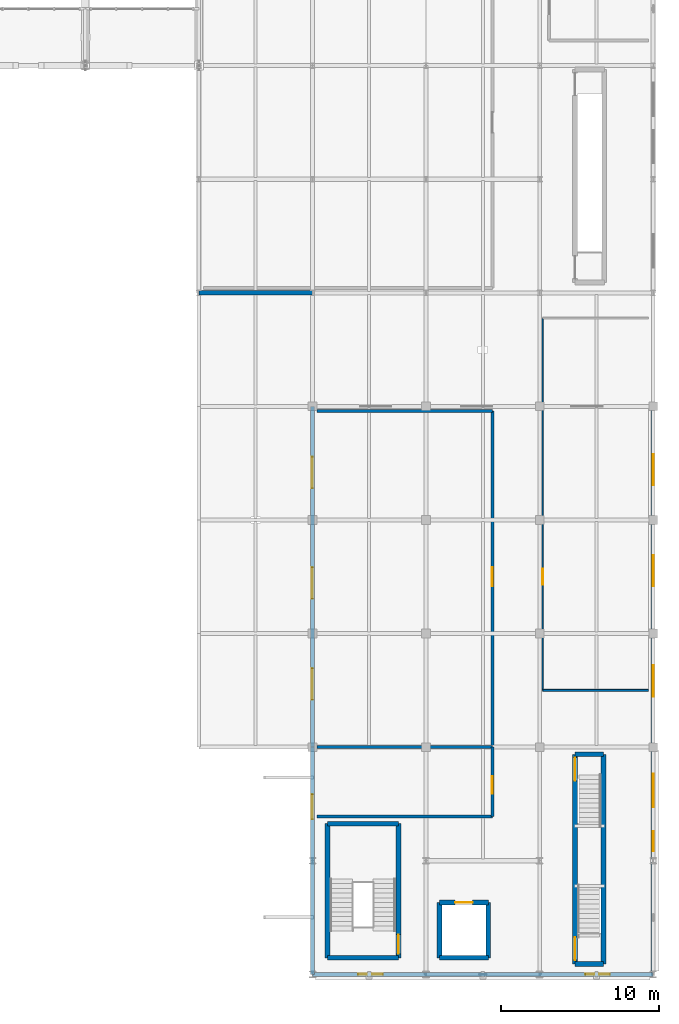
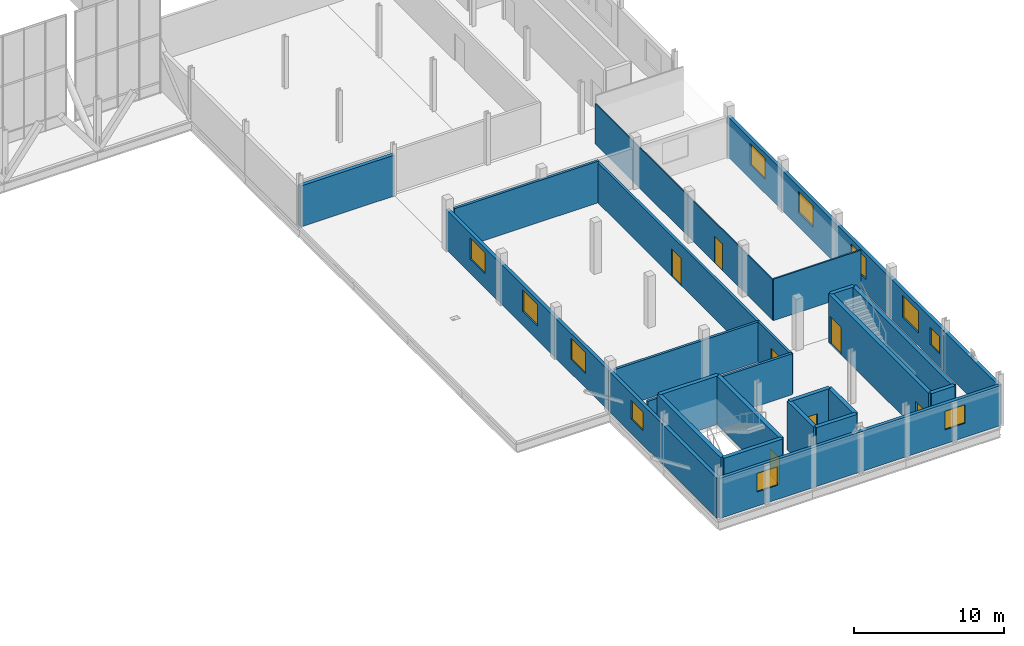
# One storey, part 94 of 102: 25 walls, 11 windows, 7 doors, 18 openings.
"""IFC4 building model written with IfcOpenShell, lengths in metres."""

from ifc_helpers import new_model, si_unit, direction, frame, frame_2d, origin, place, context, subcontext, project, spatial, rectangle, extrude, material, layer, layer_set, type_object, element, fill, save


model = new_model("IFC4")

# Units and contexts
model_context = context("Model", 3, precision=1e-05, world=origin(), true_north=direction((0.0, 1.0)))
body_context = subcontext(model_context, "Body", "Model", "MODEL_VIEW")
ifc_project = project(units=[si_unit("LENGTHUNIT", "METRE"), si_unit("AREAUNIT", "SQUARE_METRE"), si_unit("VOLUMEUNIT", "CUBIC_METRE"), si_unit("PLANEANGLEUNIT", "RADIAN"), si_unit("MASSUNIT", "GRAM", prefix="KILO")], contexts=[model_context])

# Site, building, storey
site_placement = place(None, origin())
site = spatial("IfcSite", under=ifc_project, at=site_placement, CompositionType="ELEMENT")
building_placement = place(site_placement, origin())
building = spatial("IfcBuilding", under=site, at=building_placement, Name="Yarey Park Central Fire Station", CompositionType="ELEMENT")
storey_placement = place(building_placement, frame((0.0, 0.0, 6.0)))
storey = spatial("IfcBuildingStorey", under=building, at=storey_placement, Name="L02", CompositionType="ELEMENT", Elevation=6.0)

# Wall
ifc_material_1 = material(Name="Concrete C35/45", Category="concrete")
ifc_layer_1 = layer(ifc_material_1, 0.280029296875)
ifc_layer_set_1 = layer_set([ifc_layer_1], Name="Concrete C35/45")
wall_type_1 = type_object("IfcWallType", Name="ENV_WALL_CMU280", PredefinedType="STANDARD", material=ifc_layer_set_1)
wall_1_placement = place(storey_placement, frame((136.800048828125, 43.199951171875, 0.0), z_axis=(0.0, 0.0, 1.0), x_axis=(1.0, 0.0, 0.0)))
element("IfcWall", 1, at=wall_1_placement, inside=storey, type_object=wall_type_1, Name="EW_L02_V5_S", PredefinedType="STANDARD", context=body_context, shape_type="SweptSolid", body=[
    extrude(rectangle(XDim=7.199951171875, YDim=0.280029296875, at=frame_2d((3.60009765625, 0.0))), origin(), (0.0, 0.0, 1.0), 3.326904296875),
])

# Wall, openings, windows
ifc_material_2 = material(Name="Concrete C40/50", Category="concrete")
ifc_layer_2 = layer(ifc_material_2, 0.2548828125)
ifc_layer_set_2 = layer_set([ifc_layer_2], Name="Concrete C40/50")
wall_type_2 = type_object("IfcWallType", Name="ENV_WALL_RC255", PredefinedType="STANDARD", material=ifc_layer_set_2)
wall_2_placement = place(storey_placement, frame((144.0, 36.0, 0.0), z_axis=(0.0, 0.0, 1.0), x_axis=(0.0, -1.0, 0.0)))
wall_2 = element("IfcWall", 2, at=wall_2_placement, inside=storey, type_object=wall_type_2, Name="EW_L02_V6_SMKW", PredefinedType="STANDARD", context=body_context, shape_type="SweptSolid", body=[
    extrude(rectangle(XDim=21.60009765625, YDim=0.2548828125, at=frame_2d((10.800048828125, 0.0))), origin(), (0.0, 0.0, 1.0), 3.2470703125),
])
opening_1_placement = place(wall_2_placement, frame((3.199951171875, 0.0, 1.14990234375)))
opening_1 = element("IfcOpeningElement", 3, at=opening_1_placement, cuts=wall_2, Name="Opening WN-P198", PredefinedType="OPENING", context=body_context, shape_type="SweptSolid", body=[
    extrude(rectangle(XDim=1.97998046875, YDim=1.719970703125, at=frame_2d((0.989990234375, 0.85986328125))), frame((0.0, 0.137451171875, 0.0), z_axis=(0.0, -1.0, 0.0), x_axis=(1.0, 0.0, 0.0)), (0.0, 0.0, 1.0), 0.27490234375),
])
opening_2_placement = place(wall_2_placement, frame((10.199951171875, 0.0, 1.14990234375)))
opening_2 = element("IfcOpeningElement", 4, at=opening_2_placement, cuts=wall_2, Name="Opening WN-P198", PredefinedType="OPENING", context=body_context, shape_type="SweptSolid", body=[
    extrude(rectangle(XDim=1.97998046875, YDim=1.719970703125, at=frame_2d((0.989990234375, 0.85986328125))), frame((0.0, 0.137451171875, 0.0), z_axis=(0.0, -1.0, 0.0), x_axis=(1.0, 0.0, 0.0)), (0.0, 0.0, 1.0), 0.27490234375),
])
opening_3_placement = place(wall_2_placement, frame((16.60009765625, 0.0, 1.14990234375)))
opening_3 = element("IfcOpeningElement", 5, at=opening_3_placement, cuts=wall_2, Name="Opening WN-P198", PredefinedType="OPENING", context=body_context, shape_type="SweptSolid", body=[
    extrude(rectangle(XDim=1.97998046875, YDim=1.719970703125, at=frame_2d((0.989990234375, 0.85986328125))), frame((0.0, 0.137451171875, 0.0), z_axis=(0.0, -1.0, 0.0), x_axis=(1.0, 0.0, 0.0)), (0.0, 0.0, 1.0), 0.27490234375),
])
ifc_material_3 = material(Name="Laminated Hurricane Low-E Glass", Category="glass")
window_type_1 = type_object("IfcWindowType", Name="ENV_WIN_PUNCH_198", PartitioningType="SINGLE_PANEL", PredefinedType="WINDOW", material=ifc_material_3)
window_1_placement = place(opening_1_placement, origin())
window_1 = element("IfcWindow", 6, at=window_1_placement, inside=storey, type_object=window_type_1, Name="WIN_L02_SMKW_1", OverallHeight=1.719970703125, OverallWidth=1.97998046875, PartitioningType="SINGLE_PANEL", PredefinedType="WINDOW", context=body_context, shape_type="SweptSolid", body=[
    extrude(rectangle(XDim=1.97998046875, YDim=1.719970703125, at=frame_2d((0.989990234375, 0.85986328125))), frame((0.0, 0.030029296875, 0.0), z_axis=(0.0, -1.0, 0.0), x_axis=(1.0, 0.0, 0.0)), (0.0, 0.0, 1.0), 0.06005859375),
])
fill(opening_1, window_1)
window_2_placement = place(opening_2_placement, origin())
window_2 = element("IfcWindow", 7, at=window_2_placement, inside=storey, type_object=window_type_1, Name="WIN_L02_SMKW_2", OverallHeight=1.719970703125, OverallWidth=1.97998046875, PartitioningType="SINGLE_PANEL", PredefinedType="WINDOW", context=body_context, shape_type="SweptSolid", body=[
    extrude(rectangle(XDim=1.97998046875, YDim=1.719970703125, at=frame_2d((0.989990234375, 0.85986328125))), frame((0.0, 0.030029296875, 0.0), z_axis=(0.0, -1.0, 0.0), x_axis=(1.0, 0.0, 0.0)), (0.0, 0.0, 1.0), 0.06005859375),
])
fill(opening_2, window_2)
window_3_placement = place(opening_3_placement, origin())
window_3 = element("IfcWindow", 8, at=window_3_placement, inside=storey, type_object=window_type_1, Name="WIN_L02_SMKW_3", OverallHeight=1.719970703125, OverallWidth=1.97998046875, PartitioningType="SINGLE_PANEL", PredefinedType="WINDOW", context=body_context, shape_type="SweptSolid", body=[
    extrude(rectangle(XDim=1.97998046875, YDim=1.719970703125, at=frame_2d((0.989990234375, 0.85986328125))), frame((0.0, 0.030029296875, 0.0), z_axis=(0.0, -1.0, 0.0), x_axis=(1.0, 0.0, 0.0)), (0.0, 0.0, 1.0), 0.06005859375),
])
fill(opening_3, window_3)

wall_3_placement = place(storey_placement, frame((165.60009765625, 14.39990234375, 0.0), z_axis=(0.0, 0.0, 1.0), x_axis=(0.0, 1.0, 0.0)))
wall_3 = element("IfcWall", 9, at=wall_3_placement, inside=storey, type_object=wall_type_2, Name="EW_L02_V6_SMKE", PredefinedType="STANDARD", context=body_context, shape_type="SweptSolid", body=[
    extrude(rectangle(XDim=21.60009765625, YDim=0.2548828125, at=frame_2d((10.800048828125, 0.0))), origin(), (0.0, 0.0, 1.0), 3.2470703125),
])
opening_4_placement = place(wall_3_placement, frame((3.199951171875, 0.0, 1.14990234375)))
opening_4 = element("IfcOpeningElement", 10, at=opening_4_placement, cuts=wall_3, Name="Opening WN-P198", PredefinedType="OPENING", context=body_context, shape_type="SweptSolid", body=[
    extrude(rectangle(XDim=1.97998046875, YDim=1.719970703125, at=frame_2d((0.989990234375, 0.85986328125))), frame((0.0, 0.137451171875, 0.0), z_axis=(0.0, -1.0, 0.0), x_axis=(1.0, 0.0, 0.0)), (0.0, 0.0, 1.0), 0.27490234375),
])
opening_5_placement = place(wall_3_placement, frame((10.199951171875, 0.0, 1.14990234375)))
opening_5 = element("IfcOpeningElement", 11, at=opening_5_placement, cuts=wall_3, Name="Opening WN-P198", PredefinedType="OPENING", context=body_context, shape_type="SweptSolid", body=[
    extrude(rectangle(XDim=1.97998046875, YDim=1.719970703125, at=frame_2d((0.989990234375, 0.85986328125))), frame((0.0, 0.137451171875, 0.0), z_axis=(0.0, -1.0, 0.0), x_axis=(1.0, 0.0, 0.0)), (0.0, 0.0, 1.0), 0.27490234375),
])
opening_6_placement = place(wall_3_placement, frame((16.60009765625, 0.0, 1.14990234375)))
opening_6 = element("IfcOpeningElement", 12, at=opening_6_placement, cuts=wall_3, Name="Opening WN-P198", PredefinedType="OPENING", context=body_context, shape_type="SweptSolid", body=[
    extrude(rectangle(XDim=1.97998046875, YDim=1.719970703125, at=frame_2d((0.989990234375, 0.85986328125))), frame((0.0, 0.137451171875, 0.0), z_axis=(0.0, -1.0, 0.0), x_axis=(1.0, 0.0, 0.0)), (0.0, 0.0, 1.0), 0.27490234375),
])
window_4_placement = place(opening_4_placement, origin())
window_4 = element("IfcWindow", 13, at=window_4_placement, inside=storey, type_object=window_type_1, Name="WIN_L02_SMKE_1", OverallHeight=1.719970703125, OverallWidth=1.97998046875, PartitioningType="SINGLE_PANEL", PredefinedType="WINDOW", context=body_context, shape_type="SweptSolid", body=[
    extrude(rectangle(XDim=1.97998046875, YDim=1.719970703125, at=frame_2d((0.989990234375, 0.85986328125))), frame((0.0, 0.030029296875, 0.0), z_axis=(0.0, -1.0, 0.0), x_axis=(1.0, 0.0, 0.0)), (0.0, 0.0, 1.0), 0.06005859375),
])
fill(opening_4, window_4)
window_5_placement = place(opening_5_placement, origin())
window_5 = element("IfcWindow", 14, at=window_5_placement, inside=storey, type_object=window_type_1, Name="WIN_L02_SMKE_2", OverallHeight=1.719970703125, OverallWidth=1.97998046875, PartitioningType="SINGLE_PANEL", PredefinedType="WINDOW", context=body_context, shape_type="SweptSolid", body=[
    extrude(rectangle(XDim=1.97998046875, YDim=1.719970703125, at=frame_2d((0.989990234375, 0.85986328125))), frame((0.0, 0.030029296875, 0.0), z_axis=(0.0, -1.0, 0.0), x_axis=(1.0, 0.0, 0.0)), (0.0, 0.0, 1.0), 0.06005859375),
])
fill(opening_5, window_5)
window_6_placement = place(opening_6_placement, origin())
window_6 = element("IfcWindow", 15, at=window_6_placement, inside=storey, type_object=window_type_1, Name="WIN_L02_SMKE_3", OverallHeight=1.719970703125, OverallWidth=1.97998046875, PartitioningType="SINGLE_PANEL", PredefinedType="WINDOW", context=body_context, shape_type="SweptSolid", body=[
    extrude(rectangle(XDim=1.97998046875, YDim=1.719970703125, at=frame_2d((0.989990234375, 0.85986328125))), frame((0.0, 0.030029296875, 0.0), z_axis=(0.0, -1.0, 0.0), x_axis=(1.0, 0.0, 0.0)), (0.0, 0.0, 1.0), 0.06005859375),
])
fill(opening_6, window_6)

wall_4_placement = place(storey_placement, frame((165.60009765625, 0.0, 0.0), z_axis=(0.0, 0.0, 1.0), x_axis=(-1.0, 0.0, 0.0)))
wall_4 = element("IfcWall", 16, at=wall_4_placement, inside=storey, type_object=wall_type_2, Name="EW_L02_DT_S", PredefinedType="STANDARD", context=body_context, shape_type="SweptSolid", body=[
    extrude(rectangle(XDim=21.60009765625, YDim=0.2548828125, at=frame_2d((10.800048828125, 0.0))), origin(), (0.0, 0.0, 1.0), 3.2470703125),
])
opening_7_placement = place(wall_4_placement, frame((17.139892578125, 0.0, 1.14990234375)))
opening_7 = element("IfcOpeningElement", 17, at=opening_7_placement, cuts=wall_4, Name="Opening WN-DT156", PredefinedType="OPENING", context=body_context, shape_type="SweptSolid", body=[
    extrude(rectangle(XDim=1.56005859375, YDim=1.5, at=frame_2d((0.780029296875, 0.75))), frame((0.0, 0.137451171875, 0.0), z_axis=(0.0, -1.0, 0.0), x_axis=(1.0, 0.0, 0.0)), (0.0, 0.0, 1.0), 0.27490234375),
])
opening_8_placement = place(wall_4_placement, frame((2.739990234375, 0.0, 1.14990234375)))
opening_8 = element("IfcOpeningElement", 18, at=opening_8_placement, cuts=wall_4, Name="Opening WN-DT156", PredefinedType="OPENING", context=body_context, shape_type="SweptSolid", body=[
    extrude(rectangle(XDim=1.56005859375, YDim=1.5, at=frame_2d((0.780029296875, 0.75))), frame((0.0, 0.137451171875, 0.0), z_axis=(0.0, -1.0, 0.0), x_axis=(1.0, 0.0, 0.0)), (0.0, 0.0, 1.0), 0.27490234375),
])
window_type_2 = type_object("IfcWindowType", Name="ENV_WIN_DT_156", PartitioningType="SINGLE_PANEL", PredefinedType="WINDOW", material=ifc_material_3)
window_7_placement = place(opening_7_placement, origin())
window_7 = element("IfcWindow", 19, at=window_7_placement, inside=storey, type_object=window_type_2, Name="WIN_L02_DTS_1", OverallHeight=1.5, OverallWidth=1.56005859375, PartitioningType="SINGLE_PANEL", PredefinedType="WINDOW", context=body_context, shape_type="SweptSolid", body=[
    extrude(rectangle(XDim=1.56005859375, YDim=1.5, at=frame_2d((0.780029296875, 0.75))), frame((0.0, 0.030029296875, 0.0), z_axis=(0.0, -1.0, 0.0), x_axis=(1.0, 0.0, 0.0)), (0.0, 0.0, 1.0), 0.06005859375),
])
fill(opening_7, window_7)
window_8_placement = place(opening_8_placement, origin())
window_8 = element("IfcWindow", 20, at=window_8_placement, inside=storey, type_object=window_type_2, Name="WIN_L02_DTS_2", OverallHeight=1.5, OverallWidth=1.56005859375, PartitioningType="SINGLE_PANEL", PredefinedType="WINDOW", context=body_context, shape_type="SweptSolid", body=[
    extrude(rectangle(XDim=1.56005859375, YDim=1.5, at=frame_2d((0.780029296875, 0.75))), frame((0.0, 0.030029296875, 0.0), z_axis=(0.0, -1.0, 0.0), x_axis=(1.0, 0.0, 0.0)), (0.0, 0.0, 1.0), 0.06005859375),
])
fill(opening_8, window_8)

wall_5_placement = place(storey_placement, frame((165.60009765625, 0.0, 0.0), z_axis=(0.0, 0.0, 1.0), x_axis=(0.0, 1.0, 0.0)))
wall_5 = element("IfcWall", 21, at=wall_5_placement, inside=storey, type_object=wall_type_2, Name="EW_L02_DT_E", PredefinedType="STANDARD", context=body_context, shape_type="SweptSolid", body=[
    extrude(rectangle(XDim=14.39990234375, YDim=0.2548828125, at=frame_2d((7.199951171875, 0.0))), origin(), (0.0, 0.0, 1.0), 3.2470703125),
])
opening_9_placement = place(wall_5_placement, frame((7.800048828125, 0.0, 1.050048828125)))
opening_9 = element("IfcOpeningElement", 22, at=opening_9_placement, cuts=wall_5, Name="Opening WN-DT126", PredefinedType="OPENING", context=body_context, shape_type="SweptSolid", body=[
    extrude(rectangle(XDim=1.260009765625, YDim=1.3798828125, at=frame_2d((0.6298828125, 0.68994140625))), frame((0.0, 0.137451171875, 0.0), z_axis=(0.0, -1.0, 0.0), x_axis=(1.0, 0.0, 0.0)), (0.0, 0.0, 1.0), 0.27490234375),
])
opening_10_placement = place(wall_5_placement, frame((10.60009765625, 0.0, 1.050048828125)))
opening_10 = element("IfcOpeningElement", 23, at=opening_10_placement, cuts=wall_5, Name="Opening WN-P212", PredefinedType="OPENING", context=body_context, shape_type="SweptSolid", body=[
    extrude(rectangle(XDim=2.1201171875, YDim=1.760009765625, at=frame_2d((1.06005859375, 0.8798828125))), frame((0.0, 0.137451171875, 0.0), z_axis=(0.0, -1.0, 0.0), x_axis=(1.0, 0.0, 0.0)), (0.0, 0.0, 1.0), 0.27490234375),
])
window_type_3 = type_object("IfcWindowType", Name="ENV_WIN_DT_126", PartitioningType="SINGLE_PANEL", PredefinedType="WINDOW", material=ifc_material_3)
window_9_placement = place(opening_9_placement, origin())
window_9 = element("IfcWindow", 24, at=window_9_placement, inside=storey, type_object=window_type_3, Name="WIN_L02_DTE_1", OverallHeight=1.3798828125, OverallWidth=1.260009765625, PartitioningType="SINGLE_PANEL", PredefinedType="WINDOW", context=body_context, shape_type="SweptSolid", body=[
    extrude(rectangle(XDim=1.260009765625, YDim=1.3798828125, at=frame_2d((0.6298828125, 0.68994140625))), frame((0.0, 0.030029296875, 0.0), z_axis=(0.0, -1.0, 0.0), x_axis=(1.0, 0.0, 0.0)), (0.0, 0.0, 1.0), 0.06005859375),
])
fill(opening_9, window_9)
window_type_4 = type_object("IfcWindowType", Name="ENV_WIN_PUNCH_212", PartitioningType="SINGLE_PANEL", PredefinedType="WINDOW", material=ifc_material_3)
window_10_placement = place(opening_10_placement, origin())
window_10 = element("IfcWindow", 25, at=window_10_placement, inside=storey, type_object=window_type_4, Name="WIN_L02_DTE_2", OverallHeight=1.760009765625, OverallWidth=2.1201171875, PartitioningType="SINGLE_PANEL", PredefinedType="WINDOW", context=body_context, shape_type="SweptSolid", body=[
    extrude(rectangle(XDim=2.1201171875, YDim=1.760009765625, at=frame_2d((1.06005859375, 0.8798828125))), frame((0.0, 0.030029296875, 0.0), z_axis=(0.0, -1.0, 0.0), x_axis=(1.0, 0.0, 0.0)), (0.0, 0.0, 1.0), 0.06005859375),
])
fill(opening_10, window_10)

# Wall, opening, window
wall_6_placement = place(storey_placement, frame((144.0, 14.39990234375, 0.0), z_axis=(0.0, 0.0, 1.0), x_axis=(0.0, -1.0, 0.0)))
wall_6 = element("IfcWall", 26, at=wall_6_placement, inside=storey, type_object=wall_type_2, Name="EW_L02_DT_W", PredefinedType="STANDARD", context=body_context, shape_type="SweptSolid", body=[
    extrude(rectangle(XDim=14.39990234375, YDim=0.2548828125, at=frame_2d((7.199951171875, 0.0))), origin(), (0.0, 0.0, 1.0), 3.2470703125),
])
opening_11_placement = place(wall_6_placement, frame((3.0, 0.0, 1.14990234375)))
opening_11 = element("IfcOpeningElement", 27, at=opening_11_placement, cuts=wall_6, Name="Opening WN-DT156", PredefinedType="OPENING", context=body_context, shape_type="SweptSolid", body=[
    extrude(rectangle(XDim=1.56005859375, YDim=1.5, at=frame_2d((0.780029296875, 0.75))), frame((0.0, 0.137451171875, 0.0), z_axis=(0.0, -1.0, 0.0), x_axis=(1.0, 0.0, 0.0)), (0.0, 0.0, 1.0), 0.27490234375),
])
window_11_placement = place(opening_11_placement, origin())
window_11 = element("IfcWindow", 28, at=window_11_placement, inside=storey, type_object=window_type_2, Name="WIN_L02_DTW_1", OverallHeight=1.5, OverallWidth=1.56005859375, PartitioningType="SINGLE_PANEL", PredefinedType="WINDOW", context=body_context, shape_type="SweptSolid", body=[
    extrude(rectangle(XDim=1.56005859375, YDim=1.5, at=frame_2d((0.780029296875, 0.75))), frame((0.0, 0.030029296875, 0.0), z_axis=(0.0, -1.0, 0.0), x_axis=(1.0, 0.0, 0.0)), (0.0, 0.0, 1.0), 0.06005859375),
])
fill(opening_11, window_11)

# Walls
ifc_layer_3 = layer(ifc_material_2, 0.27001953125)
ifc_layer_set_3 = layer_set([ifc_layer_3], Name="Concrete C40/50")
wall_type_3 = type_object("IfcWallType", Name="INT_CORE_RC270", PredefinedType="SHEAR", material=ifc_layer_set_3)
for number, where, z_axis, x_axis, name in (
    (29, (144.949951171875, 1.050048828125, 0.0), (0.0, 0.0, 1.0), (1.0, 0.0, 0.0), "CWALL_C5_L02_S"),
    (30, (149.449951171875, 9.550048828125, 0.0), (0.0, 0.0, 1.0), (-1.0, 0.0, 0.0), "CWALL_C5_L02_N"),
):
    element("IfcWall", number, at=place(storey_placement, frame(where, z_axis=z_axis, x_axis=x_axis)), inside=storey, type_object=wall_type_3, Name=name, PredefinedType="SHEAR", context=body_context, shape_type="SweptSolid", body=[
        extrude(rectangle(XDim=4.5, YDim=0.300048828125, at=frame_2d((2.25, 0.0))), origin(), (0.0, 0.0, 1.0), 3.93994140625),
    ])
wall_7_placement = place(storey_placement, frame((144.949951171875, 9.550048828125, 0.0), z_axis=(0.0, 0.0, 1.0), x_axis=(0.0, -1.0, 0.0)))
element("IfcWall", 31, at=wall_7_placement, inside=storey, type_object=wall_type_3, Name="CWALL_C5_L02_W", PredefinedType="SHEAR", context=body_context, shape_type="SweptSolid", body=[
    extrude(rectangle(XDim=8.5, YDim=0.300048828125, at=frame_2d((4.25, 0.0))), origin(), (0.0, 0.0, 1.0), 3.93994140625),
])

# Wall, opening, door
wall_8_placement = place(storey_placement, frame((149.449951171875, 1.050048828125, 0.0), z_axis=(0.0, 0.0, 1.0), x_axis=(0.0, 1.0, 0.0)))
wall_8 = element("IfcWall", 32, at=wall_8_placement, inside=storey, type_object=wall_type_3, Name="CWALL_C5_L02_E", PredefinedType="SHEAR", context=body_context, shape_type="SweptSolid", body=[
    extrude(rectangle(XDim=8.5, YDim=0.300048828125, at=frame_2d((4.25, 0.0))), origin(), (0.0, 0.0, 1.0), 3.93994140625),
])
opening_12_placement = place(wall_8_placement, frame((0.25, 0.0, 0.0)))
opening_12 = element("IfcOpeningElement", 33, at=opening_12_placement, cuts=wall_8, Name="Opening SD-122", PredefinedType="OPENING", context=body_context, shape_type="SweptSolid", body=[
    extrude(rectangle(XDim=1.219970703125, YDim=2.159912109375, at=frame_2d((0.60986328125, 1.080078125))), frame((0.0, 0.159912109375, 0.0), z_axis=(0.0, -1.0, 0.0), x_axis=(1.0, 0.0, 0.0)), (0.0, 0.0, 1.0), 0.320068359375),
])
ifc_material_4 = material(Name="Galvanized Hollow Metal Door", Category="metal")
door_type_1 = type_object("IfcDoorType", Name="DR_STAIR_1220", OperationType="NOTDEFINED", PredefinedType="DOOR", material=ifc_material_4)
door_1_placement = place(opening_12_placement, origin())
door_1 = element("IfcDoor", 34, at=door_1_placement, inside=storey, type_object=door_type_1, Name="DOOR_STAIR_C5_L02", OperationType="SINGLE_SWING_RIGHT", OverallHeight=2.159912109375, OverallWidth=1.219970703125, PredefinedType="DOOR", context=body_context, shape_type="SweptSolid", body=[
    extrude(rectangle(XDim=1.219970703125, YDim=2.159912109375, at=frame_2d((0.60986328125, 1.080078125))), frame((0.0, 0.02490234375, 0.0), z_axis=(0.0, -1.0, 0.0), x_axis=(1.0, 0.0, 0.0)), (0.0, 0.0, 1.0), 0.050048828125),
])
fill(opening_12, door_1)

# Wall
wall_9_placement = place(storey_placement, frame((152.050048828125, 1.050048828125, 0.0), z_axis=(0.0, 0.0, 1.0), x_axis=(1.0, 0.0, 0.0)))
element("IfcWall", 35, at=wall_9_placement, inside=storey, type_object=wall_type_3, Name="LWALL_C5_L02_S", PredefinedType="SHEAR", context=body_context, shape_type="SweptSolid", body=[
    extrude(rectangle(XDim=3.099853515625, YDim=0.300048828125, at=frame_2d((1.5498046875, 0.0))), origin(), (0.0, 0.0, 1.0), 3.93994140625),
])

# Wall, opening, door
wall_10_placement = place(storey_placement, frame((155.14990234375, 4.550048828125, 0.0), z_axis=(0.0, 0.0, 1.0), x_axis=(-1.0, 0.0, 0.0)))
wall_10 = element("IfcWall", 36, at=wall_10_placement, inside=storey, type_object=wall_type_3, Name="LWALL_C5_L02_N", PredefinedType="SHEAR", context=body_context, shape_type="SweptSolid", body=[
    extrude(rectangle(XDim=3.099853515625, YDim=0.300048828125, at=frame_2d((1.5498046875, 0.0))), origin(), (0.0, 0.0, 1.0), 3.93994140625),
])
opening_13_placement = place(wall_10_placement, frame((1.0, 0.0, 0.0)))
opening_13 = element("IfcOpeningElement", 37, at=opening_13_placement, cuts=wall_10, Name="Opening LD-11", PredefinedType="OPENING", context=body_context, shape_type="SweptSolid", body=[
    extrude(rectangle(XDim=1.10009765625, YDim=2.219970703125, at=frame_2d((0.550048828125, 1.10986328125))), frame((0.0, 0.159912109375, 0.0), z_axis=(0.0, -1.0, 0.0), x_axis=(1.0, 0.0, 0.0)), (0.0, 0.0, 1.0), 0.320068359375),
])
ifc_material_5 = material(Name="Stainless Steel AISI 316L", Category="steel")
door_type_2 = type_object("IfcDoorType", Name="DR_LD_1100", OperationType="NOTDEFINED", PredefinedType="DOOR", material=ifc_material_5)
door_2_placement = place(opening_13_placement, origin())
door_2 = element("IfcDoor", 38, at=door_2_placement, inside=storey, type_object=door_type_2, Name="Lift Landing Door LF-5-L02", OperationType="SLIDING_TO_LEFT", OverallHeight=2.219970703125, OverallWidth=1.10009765625, PredefinedType="DOOR", context=body_context, shape_type="SweptSolid", body=[
    extrude(rectangle(XDim=1.10009765625, YDim=2.219970703125, at=frame_2d((0.550048828125, 1.10986328125))), frame((0.0, 0.02490234375, 0.0), z_axis=(0.0, -1.0, 0.0), x_axis=(1.0, 0.0, 0.0)), (0.0, 0.0, 1.0), 0.050048828125),
])
fill(opening_13, door_2)

# Walls
for number, where, z_axis, x_axis, name in (
    (39, (152.050048828125, 4.550048828125, 0.0), (0.0, 0.0, 1.0), (0.0, -1.0, 0.0), "LWALL_C5_L02_W"),
    (40, (155.14990234375, 1.050048828125, 0.0), (0.0, 0.0, 1.0), (0.0, 1.0, 0.0), "LWALL_C5_L02_E"),
):
    element("IfcWall", number, at=place(storey_placement, frame(where, z_axis=z_axis, x_axis=x_axis)), inside=storey, type_object=wall_type_3, Name=name, PredefinedType="SHEAR", context=body_context, shape_type="SweptSolid", body=[
        extrude(rectangle(XDim=3.5, YDim=0.300048828125, at=frame_2d((1.75, 0.0))), origin(), (0.0, 0.0, 1.0), 3.93994140625),
    ])
for number, where, z_axis, x_axis, name in (
    (41, (160.64990234375, 0.64990234375, 0.0), (0.0, 0.0, 1.0), (1.0, 0.0, 0.0), "CWALL_C6_L02_S"),
    (42, (162.449951171875, 13.949951171875, 0.0), (0.0, 0.0, 1.0), (-1.0, 0.0, 0.0), "CWALL_C6_L02_N"),
):
    element("IfcWall", number, at=place(storey_placement, frame(where, z_axis=z_axis, x_axis=x_axis)), inside=storey, type_object=wall_type_3, Name=name, PredefinedType="SHEAR", context=body_context, shape_type="SweptSolid", body=[
        extrude(rectangle(XDim=1.800048828125, YDim=0.300048828125, at=frame_2d((0.89990234375, 0.0))), origin(), (0.0, 0.0, 1.0), 3.93994140625),
    ])

# Wall, openings, doors
wall_11_placement = place(storey_placement, frame((160.64990234375, 13.949951171875, 0.0), z_axis=(0.0, 0.0, 1.0), x_axis=(0.0, -1.0, 0.0)))
wall_11 = element("IfcWall", 43, at=wall_11_placement, inside=storey, type_object=wall_type_3, Name="CWALL_C6_L02_W", PredefinedType="SHEAR", context=body_context, shape_type="SweptSolid", body=[
    extrude(rectangle(XDim=13.300048828125, YDim=0.300048828125, at=frame_2d((6.64990234375, 0.0))), origin(), (0.0, 0.0, 1.0), 3.93994140625),
])
opening_14_placement = place(wall_11_placement, frame((11.590087890625, 0.0, 0.0)))
opening_14 = element("IfcOpeningElement", 44, at=opening_14_placement, cuts=wall_11, Name="Opening SD-146", PredefinedType="OPENING", context=body_context, shape_type="SweptSolid", body=[
    extrude(rectangle(XDim=1.4599609375, YDim=2.239990234375, at=frame_2d((0.72998046875, 1.1201171875))), frame((0.0, 0.159912109375, 0.0), z_axis=(0.0, -1.0, 0.0), x_axis=(1.0, 0.0, 0.0)), (0.0, 0.0, 1.0), 0.320068359375),
])
opening_15_placement = place(wall_11_placement, frame((0.219970703125, 0.0, 0.0)))
opening_15 = element("IfcOpeningElement", 45, at=opening_15_placement, cuts=wall_11, Name="Opening SD-146", PredefinedType="OPENING", context=body_context, shape_type="SweptSolid", body=[
    extrude(rectangle(XDim=1.4599609375, YDim=2.239990234375, at=frame_2d((0.72998046875, 1.1201171875))), frame((0.0, 0.159912109375, 0.0), z_axis=(0.0, -1.0, 0.0), x_axis=(1.0, 0.0, 0.0)), (0.0, 0.0, 1.0), 0.320068359375),
])
door_type_3 = type_object("IfcDoorType", Name="DR_STAIR_1460", OperationType="NOTDEFINED", PredefinedType="DOOR", material=ifc_material_4)
door_3_placement = place(opening_14_placement, origin())
door_3 = element("IfcDoor", 46, at=door_3_placement, inside=storey, type_object=door_type_3, Name="DOOR_STAIR_C6_L02", OperationType="SINGLE_SWING_RIGHT", OverallHeight=2.239990234375, OverallWidth=1.4599609375, PredefinedType="DOOR", context=body_context, shape_type="SweptSolid", body=[
    extrude(rectangle(XDim=1.4599609375, YDim=2.239990234375, at=frame_2d((0.72998046875, 1.1201171875))), frame((0.0, 0.02490234375, 0.0), z_axis=(0.0, -1.0, 0.0), x_axis=(1.0, 0.0, 0.0)), (0.0, 0.0, 1.0), 0.050048828125),
])
fill(opening_14, door_3)
door_4_placement = place(opening_15_placement, origin())
door_4 = element("IfcDoor", 47, at=door_4_placement, inside=storey, type_object=door_type_3, Name="DOOR_STAIR_C6_L02_ARR", OperationType="SINGLE_SWING_LEFT", OverallHeight=2.239990234375, OverallWidth=1.4599609375, PredefinedType="DOOR", context=body_context, shape_type="SweptSolid", body=[
    extrude(rectangle(XDim=1.4599609375, YDim=2.239990234375, at=frame_2d((0.72998046875, 1.1201171875))), frame((0.0, 0.02490234375, 0.0), z_axis=(0.0, -1.0, 0.0), x_axis=(1.0, 0.0, 0.0)), (0.0, 0.0, 1.0), 0.050048828125),
])
fill(opening_15, door_4)

# Walls
wall_12_placement = place(storey_placement, frame((162.449951171875, 0.64990234375, 0.0), z_axis=(0.0, 0.0, 1.0), x_axis=(0.0, 1.0, 0.0)))
element("IfcWall", 48, at=wall_12_placement, inside=storey, type_object=wall_type_3, Name="CWALL_C6_L02_E", PredefinedType="SHEAR", context=body_context, shape_type="SweptSolid", body=[
    extrude(rectangle(XDim=13.300048828125, YDim=0.300048828125, at=frame_2d((6.64990234375, 0.0))), origin(), (0.0, 0.0, 1.0), 3.93994140625),
])
ifc_layer_4 = layer(ifc_material_1, 0.18994140625)
ifc_layer_set_4 = layer_set([ifc_layer_4], Name="Concrete C35/45")
wall_type_4 = type_object("IfcWallType", Name="INT_WALL_CMU190", PredefinedType="STANDARD", material=ifc_layer_set_4)
wall_13_placement = place(storey_placement, frame((144.300048828125, 10.0, 0.0), z_axis=(0.0, 0.0, 1.0), x_axis=(1.0, 0.0, 0.0)))
element("IfcWall", 49, at=wall_13_placement, inside=storey, type_object=wall_type_4, Name="PART_SPC_L02_DT_WEST_SOUTH", PredefinedType="STANDARD", context=body_context, shape_type="SweptSolid", body=[
    extrude(rectangle(XDim=11.099853515625, YDim=0.18994140625, at=frame_2d((5.5498046875, 0.0))), origin(), (0.0, 0.0, 1.0), 3.327880859375),
])
wall_14_placement = place(storey_placement, frame((155.39990234375, 14.39990234375, 0.0), z_axis=(0.0, 0.0, 1.0), x_axis=(-1.0, 0.0, 0.0)))
element("IfcWall", 50, at=wall_14_placement, inside=storey, type_object=wall_type_4, Name="PART_SPC_L02_DT_WEST_NORTH", PredefinedType="STANDARD", context=body_context, shape_type="SweptSolid", body=[
    extrude(rectangle(XDim=11.099853515625, YDim=0.18994140625, at=frame_2d((5.5498046875, 0.0))), origin(), (0.0, 0.0, 1.0), 3.2470703125),
])

# Wall, opening, door
wall_15_placement = place(storey_placement, frame((155.39990234375, 10.0, 0.0), z_axis=(0.0, 0.0, 1.0), x_axis=(0.0, 1.0, 0.0)))
wall_15 = element("IfcWall", 51, at=wall_15_placement, inside=storey, type_object=wall_type_4, Name="PART_SPC_L02_DT_WEST_EAST", PredefinedType="STANDARD", context=body_context, shape_type="SweptSolid", body=[
    extrude(rectangle(XDim=4.39990234375, YDim=0.18994140625, at=frame_2d((2.199951171875, 0.0))), origin(), (0.0, 0.0, 1.0), 3.2470703125),
])
opening_16_placement = place(wall_15_placement, frame((1.43994140625, 0.0, 0.0)))
opening_16 = element("IfcOpeningElement", 52, at=opening_16_placement, cuts=wall_15, Name="Opening FD-112", PredefinedType="OPENING", context=body_context, shape_type="SweptSolid", body=[
    extrude(rectangle(XDim=1.1201171875, YDim=2.159912109375, at=frame_2d((0.56005859375, 1.080078125))), frame((0.0, 0.10498046875, 0.0), z_axis=(0.0, -1.0, 0.0), x_axis=(1.0, 0.0, 0.0)), (0.0, 0.0, 1.0), 0.2099609375),
])
door_type_4 = type_object("IfcDoorType", Name="DR_FD_1120", OperationType="NOTDEFINED", PredefinedType="DOOR", material=ifc_material_4)
door_5_placement = place(opening_16_placement, origin())
door_5 = element("IfcDoor", 53, at=door_5_placement, inside=storey, type_object=door_type_4, Name="DOOR_SPC_L02_DT_WEST", OperationType="SINGLE_SWING_RIGHT", OverallHeight=2.159912109375, OverallWidth=1.1201171875, PredefinedType="DOOR", context=body_context, shape_type="SweptSolid", body=[
    extrude(rectangle(XDim=1.1201171875, YDim=2.159912109375, at=frame_2d((0.56005859375, 1.080078125))), frame((0.0, 0.02490234375, 0.0), z_axis=(0.0, -1.0, 0.0), x_axis=(1.0, 0.0, 0.0)), (0.0, 0.0, 1.0), 0.050048828125),
])
fill(opening_16, door_5)

# Wall
wall_16_placement = place(storey_placement, frame((155.39990234375, 35.699951171875, 0.0), z_axis=(0.0, 0.0, 1.0), x_axis=(-1.0, 0.0, 0.0)))
element("IfcWall", 54, at=wall_16_placement, inside=storey, type_object=wall_type_4, Name="PART_SPC_L02_SMOKE2_NORTH", PredefinedType="STANDARD", context=body_context, shape_type="SweptSolid", body=[
    extrude(rectangle(XDim=11.099853515625, YDim=0.18994140625, at=frame_2d((5.5498046875, 0.0))), origin(), (0.0, 0.0, 1.0), 3.3779296875),
])

# Wall, opening, door
wall_17_placement = place(storey_placement, frame((155.39990234375, 14.39990234375, 0.0), z_axis=(0.0, 0.0, 1.0), x_axis=(0.0, 1.0, 0.0)))
wall_17 = element("IfcWall", 55, at=wall_17_placement, inside=storey, type_object=wall_type_4, Name="PART_SPC_L02_SMOKE2_EAST", PredefinedType="STANDARD", context=body_context, shape_type="SweptSolid", body=[
    extrude(rectangle(XDim=21.300048828125, YDim=0.18994140625, at=frame_2d((10.64990234375, 0.0))), origin(), (0.0, 0.0, 1.0), 3.2470703125),
])
opening_17_placement = place(wall_17_placement, frame((10.18994140625, 0.0, 0.0)))
opening_17 = element("IfcOpeningElement", 56, at=opening_17_placement, cuts=wall_17, Name="Opening FD-122", PredefinedType="OPENING", context=body_context, shape_type="SweptSolid", body=[
    extrude(rectangle(XDim=1.219970703125, YDim=2.199951171875, at=frame_2d((0.60986328125, 1.10009765625))), frame((0.0, 0.10498046875, 0.0), z_axis=(0.0, -1.0, 0.0), x_axis=(1.0, 0.0, 0.0)), (0.0, 0.0, 1.0), 0.2099609375),
])
door_type_5 = type_object("IfcDoorType", Name="DR_FD_1220", OperationType="NOTDEFINED", PredefinedType="DOOR", material=ifc_material_4)
door_6_placement = place(opening_17_placement, origin())
door_6 = element("IfcDoor", 57, at=door_6_placement, inside=storey, type_object=door_type_5, Name="DOOR_SPC_L02_SMOKE2", OperationType="SINGLE_SWING_LEFT", OverallHeight=2.199951171875, OverallWidth=1.219970703125, PredefinedType="DOOR", context=body_context, shape_type="SweptSolid", body=[
    extrude(rectangle(XDim=1.219970703125, YDim=2.199951171875, at=frame_2d((0.60986328125, 1.10009765625))), frame((0.0, 0.02490234375, 0.0), z_axis=(0.0, -1.0, 0.0), x_axis=(1.0, 0.0, 0.0)), (0.0, 0.0, 1.0), 0.050048828125),
])
fill(opening_17, door_6)

ifc_material_6 = material(Name="Gypsum Acoustic Partition", Category="gypsum")
ifc_layer_5 = layer(ifc_material_6, 0.0859375)
ifc_layer_set_5 = layer_set([ifc_layer_5], Name="Gypsum Acoustic Partition")
wall_type_5 = type_object("IfcWallType", Name="INT_WALL_PT086", PredefinedType="STANDARD", material=ifc_layer_set_5)
wall_18_placement = place(storey_placement, frame((158.60009765625, 41.60009765625, 0.0), z_axis=(0.0, 0.0, 1.0), x_axis=(0.0, -1.0, 0.0)))
wall_18 = element("IfcWall", 58, at=wall_18_placement, inside=storey, type_object=wall_type_5, Name="PART_SPC_L02_INSTRUCT_WEST", PredefinedType="STANDARD", context=body_context, shape_type="SweptSolid", body=[
    extrude(rectangle(XDim=23.60009765625, YDim=0.0859375, at=frame_2d((11.800048828125, 0.0))), origin(), (0.0, 0.0, 1.0), 3.297119140625),
])
opening_18_placement = place(wall_18_placement, frame((15.889892578125, 0.0, 0.0)))
opening_18 = element("IfcOpeningElement", 59, at=opening_18_placement, cuts=wall_18, Name="Opening ID-102", PredefinedType="OPENING", context=body_context, shape_type="SweptSolid", body=[
    extrude(rectangle(XDim=1.02001953125, YDim=2.159912109375, at=frame_2d((0.510009765625, 1.080078125))), frame((0.0, 0.052978515625, 0.0), z_axis=(0.0, -1.0, 0.0), x_axis=(1.0, 0.0, 0.0)), (0.0, 0.0, 1.0), 0.10595703125),
])
ifc_material_7 = material(Name="Hardwood Acoustic Leaf", Category="wood")
door_type_6 = type_object("IfcDoorType", Name="DR_INT_1020", OperationType="NOTDEFINED", PredefinedType="DOOR", material=ifc_material_7)
door_7_placement = place(opening_18_placement, origin())
door_7 = element("IfcDoor", 60, at=door_7_placement, inside=storey, type_object=door_type_6, Name="DOOR_SPC_L02_INSTRUCT", OperationType="SINGLE_SWING_RIGHT", OverallHeight=2.159912109375, OverallWidth=1.02001953125, PredefinedType="DOOR", context=body_context, shape_type="SweptSolid", body=[
    extrude(rectangle(XDim=1.02001953125, YDim=2.159912109375, at=frame_2d((0.510009765625, 1.080078125))), frame((0.0, 0.02490234375, 0.0), z_axis=(0.0, -1.0, 0.0), x_axis=(1.0, 0.0, 0.0)), (0.0, 0.0, 1.0), 0.050048828125),
])
fill(opening_18, door_7)

# Wall
ifc_layer_6 = layer(ifc_material_6, 0.117919921875)
ifc_layer_set_6 = layer_set([ifc_layer_6], Name="Gypsum Acoustic Partition")
wall_type_6 = type_object("IfcWallType", Name="INT_WALL_PT118", PredefinedType="STANDARD", material=ifc_layer_set_6)
wall_19_placement = place(storey_placement, frame((158.60009765625, 18.0, 0.0), z_axis=(0.0, 0.0, 1.0), x_axis=(1.0, 0.0, 0.0)))
element("IfcWall", 61, at=wall_19_placement, inside=storey, type_object=wall_type_6, Name="PART_SPC_L02_INSTRUCT_SOUTH", PredefinedType="STANDARD", context=body_context, shape_type="SweptSolid", body=[
    extrude(rectangle(XDim=6.699951171875, YDim=0.117919921875, at=frame_2d((3.35009765625, 0.0))), origin(), (0.0, 0.0, 1.0), 3.3779296875),
])

save(model, "model.ifc")
